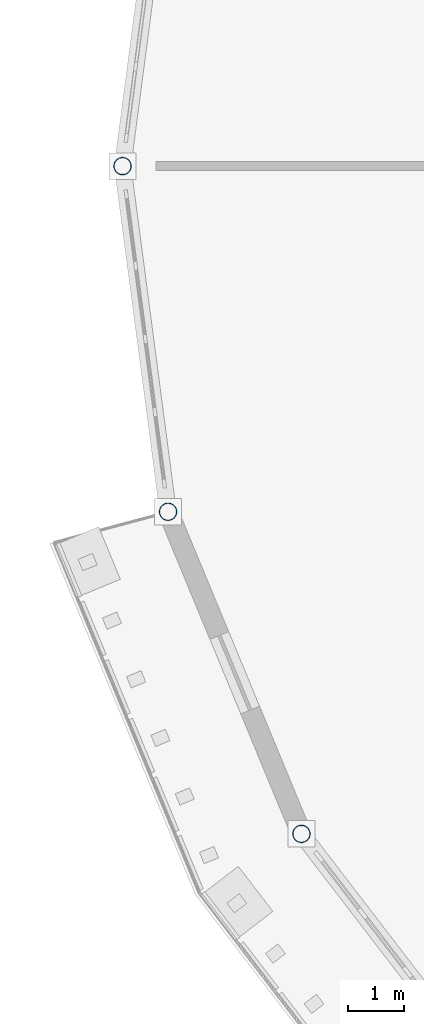
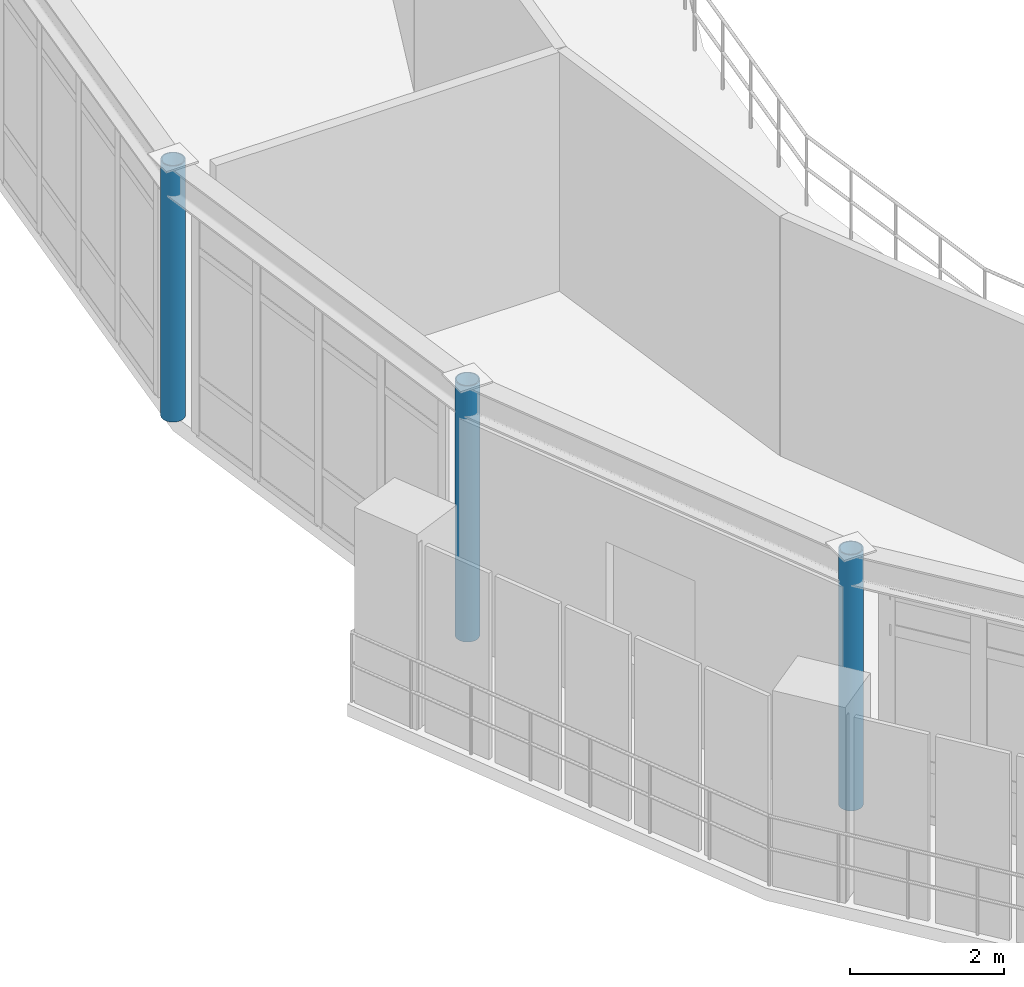
# One storey, part 2 of 58: 3 columns.
"""IFC4 building model written with IfcOpenShell, lengths in metres."""

from ifc_helpers import new_model, si_unit, derived_unit, direction, frame, origin, origin_2d, place, context, subcontext, project, spatial, hollow_circle, extrude, material, material_profile, profile_set, type_object, element, save


model = new_model("IFC4")

# Units and contexts
model_context = context("Model", 3, precision=1e-05, world=origin(), true_north=direction((0.0, 1.0)))
body_context = subcontext(model_context, "Body", "Model", "MODEL_VIEW")
ifc_project = project(units=[si_unit("LENGTHUNIT", "METRE"), si_unit("AREAUNIT", "SQUARE_METRE"), si_unit("VOLUMEUNIT", "CUBIC_METRE"), si_unit("PLANEANGLEUNIT", "RADIAN"), si_unit("MASSUNIT", "GRAM", prefix="KILO"), derived_unit("THERMALTRANSMITTANCEUNIT", [(si_unit("POWERUNIT", "WATT"), 1), (si_unit("AREAUNIT", "SQUARE_METRE"), -1), (si_unit("THERMODYNAMICTEMPERATUREUNIT", "KELVIN"), -1)])], contexts=[model_context])

# Site, building, storey
site_placement = place(None, origin())
site = spatial("IfcSite", under=ifc_project, at=site_placement, CompositionType="ELEMENT")
building_placement = place(site_placement, origin())
building = spatial("IfcBuilding", under=site, at=building_placement, Name="Yasenodar Specialist Clinic", CompositionType="ELEMENT")
storey_placement = place(building_placement, frame((0.0, 0.0, 17.25)))
storey = spatial("IfcBuildingStorey", under=building, at=storey_placement, Name="L04", CompositionType="ELEMENT", Elevation=17.25)

# Columns
ifc_material = material(Name="Steel S355", Category="steel")
ifc_material_profile = material_profile(ifc_material, hollow_circle(Radius=0.161865234375, WallThickness=0.01611328125, at=origin_2d()), Name="CHS 323.9x16")
ifc_profile_set = profile_set([ifc_material_profile], Name="Steel S355")
column_type = type_object("IfcColumnType", Name="COL-ST-CHS324", PredefinedType="COLUMN", material=ifc_profile_set)
for number, where, z_axis, x_axis, name in (
    (1, (57.0, 58.800048828125, 0.0), (0.0, 0.0, 1.0), (1.0, 0.0, 0.0), "L04 Drum V1 Outer Column 13"),
    (2, (57.81787109375, 52.58837890625, 0.0), (0.0, 0.0, 1.0), (1.0, 0.0, 0.0), "L04 Drum V1 Outer Column 14"),
    (3, (60.21533203125, 46.800048828125, 0.0), (0.0, 0.0, 1.0), (1.0, 0.0, 0.0), "L04 Drum V1 Outer Column 15"),
):
    element("IfcColumn", number, at=place(storey_placement, frame(where, z_axis=z_axis, x_axis=x_axis)), inside=storey, type_object=column_type, Name=name, PredefinedType="COLUMN", context=body_context, shape_type="SweptSolid", body=[
        extrude(hollow_circle(Radius=0.161865234375, WallThickness=0.01611328125, at=origin_2d()), origin(), (0.0, 0.0, 1.0), 4.050048828125),
    ])

save(model, "model.ifc")
